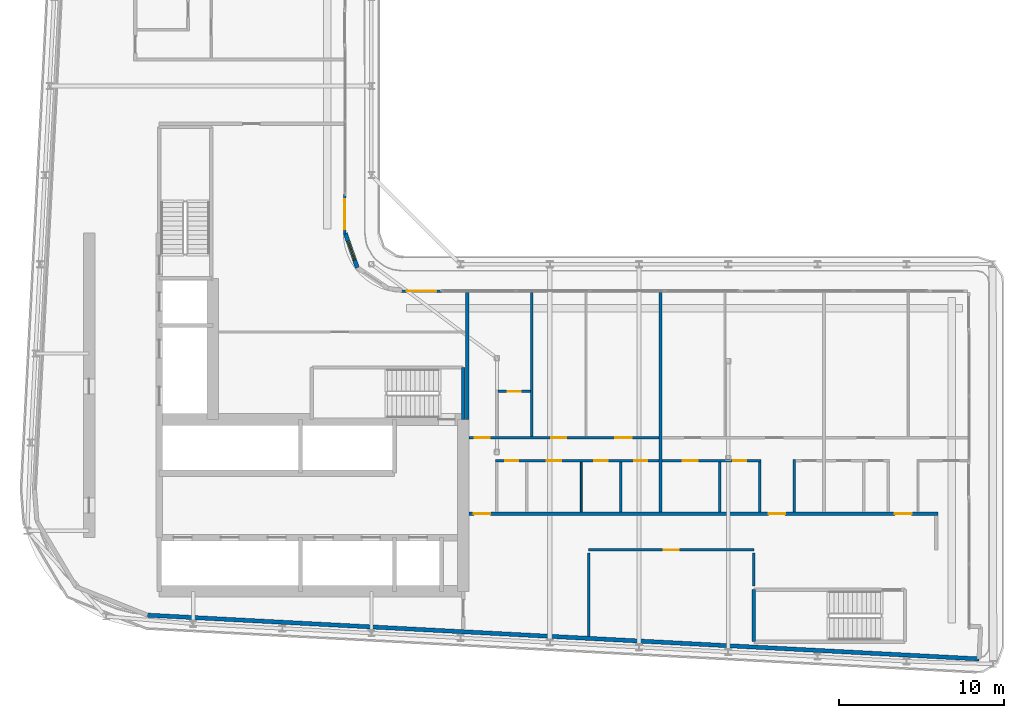
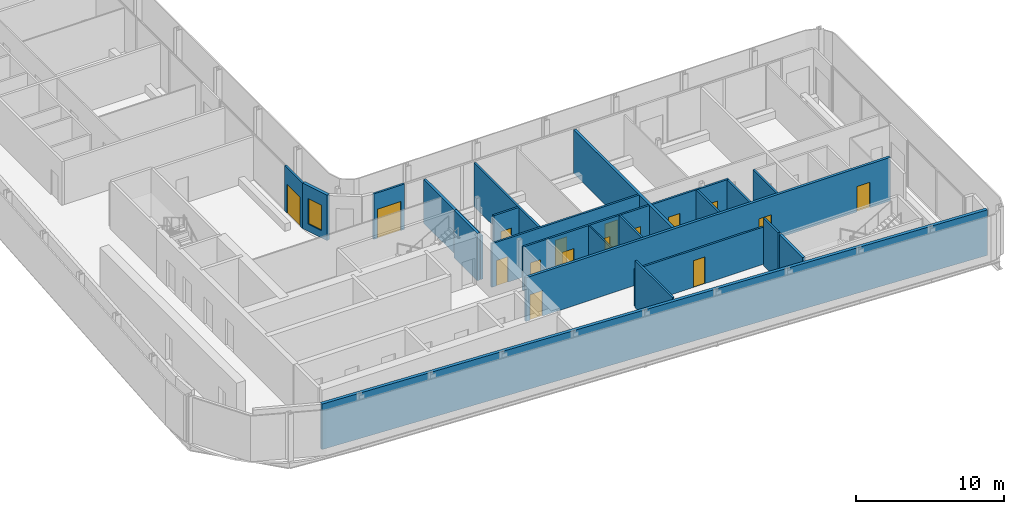
# One storey, part 11 of 21: 22 walls, 16 doors, 1 window, 17 openings.
"""IFC4 building model written with IfcOpenShell, lengths in metres."""

from ifc_helpers import new_model, si_unit, direction, frame, frame_2d, origin, place, context, subcontext, project, spatial, rectangle, extrude, source, transform, mapped, material, layer, layer_set, type_object, element, fill, save


model = new_model("IFC4")

# Units and contexts
model_context = context("Model", 3, precision=1e-05, world=origin(), true_north=direction((0.0, 1.0)))
body_context = subcontext(model_context, "Body", "Model", "MODEL_VIEW")
ifc_project = project(units=[si_unit("LENGTHUNIT", "METRE"), si_unit("AREAUNIT", "SQUARE_METRE"), si_unit("VOLUMEUNIT", "CUBIC_METRE"), si_unit("PLANEANGLEUNIT", "RADIAN"), si_unit("MASSUNIT", "GRAM", prefix="KILO")], contexts=[model_context])

# Site, building, storey
site_placement = place(None, origin())
site = spatial("IfcSite", under=ifc_project, at=site_placement, CompositionType="ELEMENT")
building_placement = place(site_placement, origin())
building = spatial("IfcBuilding", under=site, at=building_placement, Name="Kheshtan School and Residences Tower", CompositionType="ELEMENT")
storey_placement = place(building_placement, frame((0.0, 0.0, 231.800048828125)))
storey = spatial("IfcBuildingStorey", under=building, at=storey_placement, Name="L54", CompositionType="ELEMENT", Elevation=231.800048828125)

# Wall, openings, doors
ifc_material_1 = material(Name="Gypsum board on steel studs with fire boards", Category="steel")
ifc_layer_1 = layer(ifc_material_1, 0.199951171875)
ifc_layer_set_1 = layer_set([ifc_layer_1], Name="Corridor wall 200")
wall_type_1 = type_object("IfcWallType", Name="Corridor wall 200", PredefinedType="PARTITIONING", material=ifc_layer_set_1)
wall_1_placement = place(storey_placement, frame((53.4990234375, 30.5, 0.0), z_axis=(0.0, 0.0, 1.0), x_axis=(1.0, 0.0, 0.0)))
wall_1 = element("IfcWall", 1, at=wall_1_placement, inside=storey, type_object=wall_type_1, Name="Partition L54-024", PredefinedType="PARTITIONING", context=body_context, shape_type="SweptSolid", body=[
    extrude(rectangle(XDim=28.40087890625, YDim=0.199951171875, at=frame_2d((14.200439453125, 0.0))), origin(), (0.0, 0.0, 1.0), 3.599853515625),
])
opening_1_placement = place(wall_1_placement, frame((0.301025390625, 0.0, 0.0)))
opening_1 = element("IfcOpeningElement", 2, at=opening_1_placement, cuts=wall_1, Name="Opening D54-005", PredefinedType="OPENING", context=body_context, shape_type="SweptSolid", body=[
    extrude(rectangle(XDim=1.0, YDim=2.10009765625, at=frame_2d((0.5, 1.050048828125))), frame((0.0, 0.10986328125, 0.0), z_axis=(0.0, -1.0, 0.0), x_axis=(1.0, 0.0, 0.0)), (0.0, 0.0, 1.0), 0.219970703125),
])
opening_2_placement = place(wall_1_placement, frame((18.15087890625, 0.0, 0.0)))
opening_2 = element("IfcOpeningElement", 3, at=opening_2_placement, cuts=wall_1, Name="Opening D54-012", PredefinedType="OPENING", context=body_context, shape_type="SweptSolid", body=[
    extrude(rectangle(XDim=1.0, YDim=2.10009765625, at=frame_2d((0.5, 1.050048828125))), frame((0.0, 0.10986328125, 0.0), z_axis=(0.0, -1.0, 0.0), x_axis=(1.0, 0.0, 0.0)), (0.0, 0.0, 1.0), 0.219970703125),
])
opening_3_placement = place(wall_1_placement, frame((25.801025390625, 0.0, 0.0)))
opening_3 = element("IfcOpeningElement", 4, at=opening_3_placement, cuts=wall_1, Name="Opening D54-018", PredefinedType="OPENING", context=body_context, shape_type="SweptSolid", body=[
    extrude(rectangle(XDim=1.0, YDim=2.10009765625, at=frame_2d((0.5, 1.050048828125))), frame((0.0, 0.10986328125, 0.0), z_axis=(0.0, -1.0, 0.0), x_axis=(1.0, 0.0, 0.0)), (0.0, 0.0, 1.0), 0.219970703125),
])
ifc_material_2 = material(Name="Steel-framed fire-resisting door leaf", Category="steel")
door_type_1 = type_object("IfcDoorType", Name="Fire door FD30S 1000 x 2100", OperationType="SINGLE_SWING_LEFT", PredefinedType="DOOR", material=ifc_material_2)
shared_shape_1 = source(origin(), body_context, "Body", "SweptSolid", [
    extrude(rectangle(XDim=1.0, YDim=2.10009765625, at=frame_2d((0.5, 1.050048828125))), frame((0.0, 0.02490234375, 0.0), z_axis=(0.0, -1.0, 0.0), x_axis=(1.0, 0.0, 0.0)), (0.0, 0.0, 1.0), 0.050048828125),
])
door_1_placement = place(opening_1_placement, origin())
door_1 = element("IfcDoor", 5, at=door_1_placement, inside=storey, type_object=door_type_1, Name="Door D54-005", OperationType="SINGLE_SWING_LEFT", OverallHeight=2.10009765625, OverallWidth=1.0, PredefinedType="DOOR", context=body_context, shape_type="MappedRepresentation", body=[
    mapped(shared_shape_1, transform((0.0, 0.0, 0.0), x_axis=(1.0, 0.0, 0.0), y_axis=(0.0, 1.0, 0.0), z_axis=(0.0, 0.0, 1.0), scale=1.0)),
])
fill(opening_1, door_1)
door_2_placement = place(opening_2_placement, origin())
door_2 = element("IfcDoor", 6, at=door_2_placement, inside=storey, type_object=door_type_1, Name="Door D54-012", OperationType="SINGLE_SWING_RIGHT", OverallHeight=2.10009765625, OverallWidth=1.0, PredefinedType="DOOR", context=body_context, shape_type="MappedRepresentation", body=[
    mapped(shared_shape_1, transform((0.0, 0.0, 0.0), x_axis=(1.0, 0.0, 0.0), y_axis=(0.0, 1.0, 0.0), z_axis=(0.0, 0.0, 1.0), scale=1.0)),
])
fill(opening_2, door_2)
door_3_placement = place(opening_3_placement, origin())
door_3 = element("IfcDoor", 7, at=door_3_placement, inside=storey, type_object=door_type_1, Name="Door D54-018", OperationType="SINGLE_SWING_RIGHT", OverallHeight=2.10009765625, OverallWidth=1.0, PredefinedType="DOOR", context=body_context, shape_type="MappedRepresentation", body=[
    mapped(shared_shape_1, transform((0.0, 0.0, 0.0), x_axis=(1.0, 0.0, 0.0), y_axis=(0.0, 1.0, 0.0), z_axis=(0.0, 0.0, 1.0), scale=1.0)),
])
fill(opening_3, door_3)

# Wall, opening, window
ifc_material_3 = material(Name="Concrete C40/50 with ceramic cladding and mineral wool insulation", Category="concrete")
ifc_layer_2 = layer(ifc_material_3, 0.25)
ifc_layer_set_2 = layer_set([ifc_layer_2], Name="External wall 250 ceramic clad")
wall_type_2 = type_object("IfcWallType", Name="External wall 250 ceramic clad", PredefinedType="SOLIDWALL", material=ifc_layer_set_2)
wall_2_placement = place(storey_placement, frame((46.01806640625, 47.470947265625, 0.0), z_axis=(0.0, 0.0, 1.0), x_axis=(0.328791208903, -0.944402637093, 0.0)))
wall_2 = element("IfcWall", 8, at=wall_2_placement, inside=storey, type_object=wall_type_2, Name="External wall L54 5", PredefinedType="SOLIDWALL", context=body_context, shape_type="SweptSolid", body=[
    extrude(rectangle(XDim=2.20458984375, YDim=0.25, at=frame_2d((1.102294921875, 0.0))), origin(), (0.0, 0.0, 1.0), 3.75),
])
opening_4_placement = place(wall_2_placement, frame((0.5029296875, 0.0, 0.60009765625)))
opening_4 = element("IfcOpeningElement", 9, at=opening_4_placement, cuts=wall_2, Name="Opening WN-E", PredefinedType="OPENING", context=body_context, shape_type="SweptSolid", body=[
    extrude(rectangle(XDim=1.199951171875, YDim=2.10009765625, at=frame_2d((0.60009765625, 1.050048828125))), frame((0.0, 0.135009765625, 0.0), z_axis=(0.0, -1.0, 0.0), x_axis=(1.0, 0.0, 0.0)), (0.0, 0.0, 1.0), 0.27001953125),
])
ifc_material_4 = material(Name="Clear low-e glass in thermally broken aluminium frame", Category="aluminium")
window_type = type_object("IfcWindowType", Name="Window WN-E", PartitioningType="SINGLE_PANEL", PredefinedType="WINDOW", material=ifc_material_4)
shared_shape_2 = source(origin(), body_context, "Body", "SweptSolid", [
    extrude(rectangle(XDim=1.199951171875, YDim=2.10009765625, at=frame_2d((0.60009765625, 1.050048828125))), frame((0.0, 0.030029296875, 0.0), z_axis=(0.0, -1.0, 0.0), x_axis=(1.0, 0.0, 0.0)), (0.0, 0.0, 1.0), 0.06005859375),
])
window_placement = place(opening_4_placement, origin())
window = element("IfcWindow", 10, at=window_placement, inside=storey, type_object=window_type, Name="Window L54 5", OverallHeight=2.10009765625, OverallWidth=1.199951171875, PartitioningType="SINGLE_PANEL", PredefinedType="WINDOW", context=body_context, shape_type="MappedRepresentation", body=[
    mapped(shared_shape_2, transform((0.0, 0.0, 0.0), x_axis=(1.0, 0.0, 0.0), y_axis=(0.0, 1.0, 0.0), z_axis=(0.0, 0.0, 1.0), scale=1.0)),
])
fill(opening_4, window)

# Wall
wall_3_placement = place(storey_placement, frame((84.385986328125, 21.702880859375, 0.0), z_axis=(0.0, 0.0, 1.0), x_axis=(-0.998617508267, 0.05256493302, 0.0)))
element("IfcWall", 11, at=wall_3_placement, inside=storey, type_object=wall_type_2, Name="External wall L54 12", PredefinedType="SOLIDWALL", context=body_context, shape_type="SweptSolid", body=[
    extrude(rectangle(XDim=50.41650390625, YDim=0.25, at=frame_2d((25.208251953125, 0.0))), origin(), (0.0, 0.0, 1.0), 3.75),
])

# Wall, opening, door
ifc_material_5 = material(Name="Aluminium frame wall with insulated infill", Category="aluminium")
ifc_layer_3 = layer(ifc_material_5, 0.14990234375)
ifc_layer_set_3 = layer_set([ifc_layer_3], Name="Glazing frame wall 150")
wall_type_3 = type_object("IfcWallType", Name="Glazing frame wall 150", PredefinedType="SOLIDWALL", material=ifc_layer_set_3)
wall_4_placement = place(storey_placement, frame((45.97509765625, 49.830078125, 0.0), z_axis=(0.0, 0.0, 1.0), x_axis=(0.0, -1.0, 0.0)))
wall_4 = element("IfcWall", 12, at=wall_4_placement, inside=storey, type_object=wall_type_3, Name="Balcony door wall L54 4.4", PredefinedType="SOLIDWALL", context=body_context, shape_type="SweptSolid", body=[
    extrude(rectangle(XDim=2.400146484375, YDim=0.14990234375, at=frame_2d((1.2001953125, 0.0))), origin(), (0.0, 0.0, 1.0), 3.75),
])
opening_5_placement = place(wall_4_placement, frame((0.300048828125, 0.0, 0.0)))
opening_5 = element("IfcOpeningElement", 13, at=opening_5_placement, cuts=wall_4, Name="Opening BD", PredefinedType="OPENING", context=body_context, shape_type="SweptSolid", body=[
    extrude(rectangle(XDim=1.800048828125, YDim=2.39990234375, at=frame_2d((0.89990234375, 1.199951171875))), frame((0.0, 0.0849609375, 0.0), z_axis=(0.0, -1.0, 0.0), x_axis=(1.0, 0.0, 0.0)), (0.0, 0.0, 1.0), 0.169921875),
])
door_type_2 = type_object("IfcDoorType", Name="Balcony sliding door", OperationType="SLIDING_TO_LEFT", PredefinedType="DOOR", material=ifc_material_4)
shared_shape_3 = source(origin(), body_context, "Body", "SweptSolid", [
    extrude(rectangle(XDim=1.800048828125, YDim=2.39990234375, at=frame_2d((0.89990234375, 1.199951171875))), frame((0.0, 0.02490234375, 0.0), z_axis=(0.0, -1.0, 0.0), x_axis=(1.0, 0.0, 0.0)), (0.0, 0.0, 1.0), 0.050048828125),
])
door_4_placement = place(opening_5_placement, origin())
door_4 = element("IfcDoor", 14, at=door_4_placement, inside=storey, type_object=door_type_2, Name="Balcony door L54 4.4", OperationType="SLIDING_TO_LEFT", OverallHeight=2.39990234375, OverallWidth=1.800048828125, PredefinedType="DOOR", context=body_context, shape_type="MappedRepresentation", body=[
    mapped(shared_shape_3, transform((0.0, 0.0, 0.0), x_axis=(1.0, 0.0, 0.0), y_axis=(0.0, 1.0, 0.0), z_axis=(0.0, 0.0, 1.0), scale=1.0)),
])
fill(opening_5, door_4)

wall_5_placement = place(storey_placement, frame((49.429931640625, 43.97509765625, 0.0), z_axis=(0.0, 0.0, 1.0), x_axis=(1.0, 0.0, 0.0)))
wall_5 = element("IfcWall", 15, at=wall_5_placement, inside=storey, type_object=wall_type_3, Name="Balcony door wall L54 8.1", PredefinedType="SOLIDWALL", context=body_context, shape_type="SweptSolid", body=[
    extrude(rectangle(XDim=2.400146484375, YDim=0.14990234375, at=frame_2d((1.2001953125, 0.0))), origin(), (0.0, 0.0, 1.0), 3.75),
])
opening_6_placement = place(wall_5_placement, frame((0.300048828125, 0.0, 0.0)))
opening_6 = element("IfcOpeningElement", 16, at=opening_6_placement, cuts=wall_5, Name="Opening BD", PredefinedType="OPENING", context=body_context, shape_type="SweptSolid", body=[
    extrude(rectangle(XDim=1.800048828125, YDim=2.39990234375, at=frame_2d((0.89990234375, 1.199951171875))), frame((0.0, 0.0849609375, 0.0), z_axis=(0.0, -1.0, 0.0), x_axis=(1.0, 0.0, 0.0)), (0.0, 0.0, 1.0), 0.169921875),
])
door_5_placement = place(opening_6_placement, origin())
door_5 = element("IfcDoor", 17, at=door_5_placement, inside=storey, type_object=door_type_2, Name="Balcony door L54 8.1", OperationType="SLIDING_TO_LEFT", OverallHeight=2.39990234375, OverallWidth=1.800048828125, PredefinedType="DOOR", context=body_context, shape_type="MappedRepresentation", body=[
    mapped(shared_shape_3, transform((0.0, 0.0, 0.0), x_axis=(1.0, 0.0, 0.0), y_axis=(0.0, 1.0, 0.0), z_axis=(0.0, 0.0, 1.0), scale=1.0)),
])
fill(opening_6, door_5)

# Wall
ifc_material_6 = material(Name="Gypsum board on steel studs", Category="steel")
ifc_layer_4 = layer(ifc_material_6, 0.10009765625)
ifc_layer_set_4 = layer_set([ifc_layer_4], Name="Gypsum partition 100")
wall_type_4 = type_object("IfcWallType", Name="Gypsum partition 100", PredefinedType="PARTITIONING", material=ifc_layer_set_4)
wall_6_placement = place(storey_placement, frame((60.300048828125, 30.60009765625, 0.0), z_axis=(0.0, 0.0, 1.0), x_axis=(0.0, 1.0, 0.0)))
element("IfcWall", 18, at=wall_6_placement, inside=storey, type_object=wall_type_4, Name="Partition L54-032", PredefinedType="PARTITIONING", context=body_context, shape_type="SweptSolid", body=[
    extrude(rectangle(XDim=3.02490234375, YDim=0.10009765625, at=frame_2d((1.512451171875, 0.0))), origin(), (0.0, 0.0, 1.0), 3.599853515625),
])

# Wall, opening, door
ifc_material_7 = material(Name="Fire-board shaft wall system")
ifc_layer_5 = layer(ifc_material_7, 0.14990234375)
ifc_layer_set_5 = layer_set([ifc_layer_5], Name="Service room wall 150")
wall_type_5 = type_object("IfcWallType", Name="Service room wall 150", PredefinedType="PARTITIONING", material=ifc_layer_set_5)
wall_7_placement = place(storey_placement, frame((60.75, 28.300048828125, 0.0), z_axis=(0.0, 0.0, 1.0), x_axis=(1.0, 0.0, 0.0)))
wall_7 = element("IfcWall", 19, at=wall_7_placement, inside=storey, type_object=wall_type_5, Name="Service room wall", PredefinedType="PARTITIONING", context=body_context, shape_type="SweptSolid", body=[
    extrude(rectangle(XDim=10.0, YDim=0.14990234375, at=frame_2d((5.0, 0.0))), origin(), (0.0, 0.0, 1.0), 3.072021484375),
])
opening_7_placement = place(wall_7_placement, frame((4.550048828125, 0.0, 0.0)))
opening_7 = element("IfcOpeningElement", 20, at=opening_7_placement, cuts=wall_7, Name="Opening SR90", PredefinedType="OPENING", context=body_context, shape_type="SweptSolid", body=[
    extrude(rectangle(XDim=0.89990234375, YDim=2.199951171875, at=frame_2d((0.449951171875, 1.10009765625))), frame((0.0, 0.0849609375, 0.0), z_axis=(0.0, -1.0, 0.0), x_axis=(1.0, 0.0, 0.0)), (0.0, 0.0, 1.0), 0.169921875),
])
ifc_material_8 = material(Name="Steel door leaf, galvanised", Category="steel")
door_type_3 = type_object("IfcDoorType", Name="Service room door 900 steel 90 min", OperationType="SINGLE_SWING_LEFT", PredefinedType="DOOR", material=ifc_material_8)
shared_shape_4 = source(origin(), body_context, "Body", "SweptSolid", [
    extrude(rectangle(XDim=0.89990234375, YDim=2.199951171875, at=frame_2d((0.449951171875, 1.10009765625))), frame((0.0, 0.02490234375, 0.0), z_axis=(0.0, -1.0, 0.0), x_axis=(1.0, 0.0, 0.0)), (0.0, 0.0, 1.0), 0.050048828125),
])
door_6_placement = place(opening_7_placement, origin())
door_6 = element("IfcDoor", 21, at=door_6_placement, inside=storey, type_object=door_type_3, Name="Service room door", OperationType="SINGLE_SWING_LEFT", OverallHeight=2.199951171875, OverallWidth=0.89990234375, PredefinedType="DOOR", context=body_context, shape_type="MappedRepresentation", body=[
    mapped(shared_shape_4, transform((0.0, 0.0, 0.0), x_axis=(1.0, 0.0, 0.0), y_axis=(0.0, 1.0, 0.0), z_axis=(0.0, 0.0, 1.0), scale=1.0)),
])
fill(opening_7, door_6)

# Walls
wall_8_placement = place(storey_placement, frame((60.75, 23.074951171875, 0.0), z_axis=(0.0, 0.0, 1.0), x_axis=(0.0, 1.0, 0.0)))
element("IfcWall", 22, at=wall_8_placement, inside=storey, type_object=wall_type_5, Name="Service room wall", PredefinedType="PARTITIONING", context=body_context, shape_type="SweptSolid", body=[
    extrude(rectangle(XDim=5.030029296875, YDim=0.14990234375, at=frame_2d((2.51513671875, 0.0))), origin(), (0.0, 0.0, 1.0), 3.89990234375),
])
wall_9_placement = place(storey_placement, frame((70.75, 26.1201171875, 0.0), z_axis=(0.0, 0.0, 1.0), x_axis=(0.0, 1.0, 0.0)))
element("IfcWall", 23, at=wall_9_placement, inside=storey, type_object=wall_type_5, Name="Service room wall", PredefinedType="PARTITIONING", context=body_context, shape_type="SweptSolid", body=[
    extrude(rectangle(XDim=1.98486328125, YDim=0.14990234375, at=frame_2d((0.992431640625, 0.0))), origin(), (0.0, 0.0, 1.0), 3.89990234375),
])
ifc_material_9 = material(Name="Concrete C40/50", Category="concrete")
ifc_layer_6 = layer(ifc_material_9, 0.199951171875)
ifc_layer_set_6 = layer_set([ifc_layer_6], Name="Stair enclosure wall 200 Concrete C40/50")
wall_type_6 = type_object("IfcWallType", Name="Stair enclosure wall 200 Concrete C40/50", PredefinedType="SHEAR", material=ifc_layer_set_6)
wall_10_placement = place(storey_placement, frame((53.14990234375, 36.199951171875, 0.0), z_axis=(0.0, 0.0, 1.0), x_axis=(0.0, 1.0, 0.0)))
element("IfcWall", 24, at=wall_10_placement, inside=storey, type_object=wall_type_6, Name="Stair enclosure wall ST1", PredefinedType="SHEAR", context=body_context, shape_type="SweptSolid", body=[
    extrude(rectangle(XDim=3.150146484375, YDim=0.199951171875, at=frame_2d((1.5751953125, 0.0))), origin(), (0.0, 0.0, 1.0), 3.89990234375),
])
wall_11_placement = place(storey_placement, frame((70.75, 22.75, 0.0), z_axis=(0.0, 0.0, 1.0), x_axis=(0.0, 1.0, 0.0)))
element("IfcWall", 25, at=wall_11_placement, inside=storey, type_object=wall_type_6, Name="Stair enclosure wall ST5", PredefinedType="SHEAR", context=body_context, shape_type="SweptSolid", body=[
    extrude(rectangle(XDim=3.14990234375, YDim=0.199951171875, at=frame_2d((1.574951171875, 0.0))), origin(), (0.0, 0.0, 1.0), 3.89990234375),
])
ifc_material_10 = material(Name="Twin gypsum board on steel studs with mineral wool", Category="steel")
ifc_layer_7 = layer(ifc_material_10, 0.199951171875)
ifc_layer_set_7 = layer_set([ifc_layer_7], Name="Unit demising wall 200")
wall_type_7 = type_object("IfcWallType", Name="Unit demising wall 200", PredefinedType="PARTITIONING", material=ifc_layer_set_7)
wall_12_placement = place(storey_placement, frame((53.39990234375, 36.198974609375, 0.0), z_axis=(0.0, 0.0, 1.0), x_axis=(0.0, 1.0, 0.0)))
element("IfcWall", 26, at=wall_12_placement, inside=storey, type_object=wall_type_7, Name="Partition L54-023", PredefinedType="PARTITIONING", context=body_context, shape_type="SweptSolid", body=[
    extrude(rectangle(XDim=7.700927734375, YDim=0.199951171875, at=frame_2d((3.8505859375, 0.0))), origin(), (0.0, 0.0, 1.0), 3.599853515625),
])
wall_13_placement = place(storey_placement, frame((65.10009765625, 30.60009765625, 0.0), z_axis=(0.0, 0.0, 1.0), x_axis=(0.0, 1.0, 0.0)))
element("IfcWall", 27, at=wall_13_placement, inside=storey, type_object=wall_type_7, Name="Partition L54-035", PredefinedType="PARTITIONING", context=body_context, shape_type="SweptSolid", body=[
    extrude(rectangle(XDim=13.2998046875, YDim=0.199951171875, at=frame_2d((6.64990234375, 0.0))), origin(), (0.0, 0.0, 1.0), 3.599853515625),
])

# Wall, openings, doors
ifc_material_11 = material(Name="Moisture-resistant gypsum board on steel studs", Category="steel")
ifc_layer_8 = layer(ifc_material_11, 0.14990234375)
ifc_layer_set_8 = layer_set([ifc_layer_8], Name="Wet-room partition 150")
wall_type_8 = type_object("IfcWallType", Name="Wet-room partition 150", PredefinedType="PARTITIONING", material=ifc_layer_set_8)
wall_14_placement = place(storey_placement, frame((53.4990234375, 35.10009765625, 0.0), z_axis=(0.0, 0.0, 1.0), x_axis=(1.0, 0.0, 0.0)))
wall_14 = element("IfcWall", 28, at=wall_14_placement, inside=storey, type_object=wall_type_8, Name="Partition L54-025", PredefinedType="PARTITIONING", context=body_context, shape_type="SweptSolid", body=[
    extrude(rectangle(XDim=11.5009765625, YDim=0.14990234375, at=frame_2d((5.75048828125, 0.0))), origin(), (0.0, 0.0, 1.0), 3.599853515625),
])
opening_8_placement = place(wall_14_placement, frame((5.0009765625, 0.0, 0.0)))
opening_8 = element("IfcOpeningElement", 29, at=opening_8_placement, cuts=wall_14, Name="Opening D54-002", PredefinedType="OPENING", context=body_context, shape_type="SweptSolid", body=[
    extrude(rectangle(XDim=0.89990234375, YDim=2.10009765625, at=frame_2d((0.449951171875, 1.050048828125))), frame((0.0, 0.0849609375, 0.0), z_axis=(0.0, -1.0, 0.0), x_axis=(1.0, 0.0, 0.0)), (0.0, 0.0, 1.0), 0.169921875),
])
opening_9_placement = place(wall_14_placement, frame((8.85107421875, 0.0, 0.0)))
opening_9 = element("IfcOpeningElement", 30, at=opening_9_placement, cuts=wall_14, Name="Opening D54-007", PredefinedType="OPENING", context=body_context, shape_type="SweptSolid", body=[
    extrude(rectangle(XDim=1.0, YDim=2.10009765625, at=frame_2d((0.5, 1.050048828125))), frame((0.0, 0.0849609375, 0.0), z_axis=(0.0, -1.0, 0.0), x_axis=(1.0, 0.0, 0.0)), (0.0, 0.0, 1.0), 0.169921875),
])
opening_10_placement = place(wall_14_placement, frame((0.35107421875, 0.0, 0.0)))
opening_10 = element("IfcOpeningElement", 31, at=opening_10_placement, cuts=wall_14, Name="Opening D54-008", PredefinedType="OPENING", context=body_context, shape_type="SweptSolid", body=[
    extrude(rectangle(XDim=0.89990234375, YDim=2.10009765625, at=frame_2d((0.449951171875, 1.050048828125))), frame((0.0, 0.0849609375, 0.0), z_axis=(0.0, -1.0, 0.0), x_axis=(1.0, 0.0, 0.0)), (0.0, 0.0, 1.0), 0.169921875),
])
ifc_material_12 = material(Name="Veneered timber door leaf", Category="wood")
door_type_4 = type_object("IfcDoorType", Name="Door 1000 x 2100", OperationType="SINGLE_SWING_LEFT", PredefinedType="DOOR", material=ifc_material_12)
shared_shape_5 = source(origin(), body_context, "Body", "SweptSolid", [
    extrude(rectangle(XDim=1.0, YDim=2.10009765625, at=frame_2d((0.5, 1.050048828125))), frame((0.0, 0.02490234375, 0.0), z_axis=(0.0, -1.0, 0.0), x_axis=(1.0, 0.0, 0.0)), (0.0, 0.0, 1.0), 0.050048828125),
])
door_7_placement = place(opening_9_placement, origin())
door_7 = element("IfcDoor", 32, at=door_7_placement, inside=storey, type_object=door_type_4, Name="Door D54-007", OperationType="SINGLE_SWING_RIGHT", OverallHeight=2.10009765625, OverallWidth=1.0, PredefinedType="DOOR", context=body_context, shape_type="MappedRepresentation", body=[
    mapped(shared_shape_5, transform((0.0, 0.0, 0.0), x_axis=(1.0, 0.0, 0.0), y_axis=(0.0, 1.0, 0.0), z_axis=(0.0, 0.0, 1.0), scale=1.0)),
])
fill(opening_9, door_7)
door_type_5 = type_object("IfcDoorType", Name="Door 900 x 2100", OperationType="SINGLE_SWING_LEFT", PredefinedType="DOOR", material=ifc_material_12)
shared_shape_6 = source(origin(), body_context, "Body", "SweptSolid", [
    extrude(rectangle(XDim=0.89990234375, YDim=2.10009765625, at=frame_2d((0.449951171875, 1.050048828125))), frame((0.0, 0.02490234375, 0.0), z_axis=(0.0, -1.0, 0.0), x_axis=(1.0, 0.0, 0.0)), (0.0, 0.0, 1.0), 0.050048828125),
])
door_8_placement = place(opening_8_placement, origin())
door_8 = element("IfcDoor", 33, at=door_8_placement, inside=storey, type_object=door_type_5, Name="Door D54-002", OperationType="SINGLE_SWING_LEFT", OverallHeight=2.10009765625, OverallWidth=0.89990234375, PredefinedType="DOOR", context=body_context, shape_type="MappedRepresentation", body=[
    mapped(shared_shape_6, transform((0.0, 0.0, 0.0), x_axis=(1.0, 0.0, 0.0), y_axis=(0.0, 1.0, 0.0), z_axis=(0.0, 0.0, 1.0), scale=1.0)),
])
fill(opening_8, door_8)
door_9_placement = place(opening_10_placement, origin())
door_9 = element("IfcDoor", 34, at=door_9_placement, inside=storey, type_object=door_type_5, Name="Door D54-008", OperationType="SINGLE_SWING_RIGHT", OverallHeight=2.10009765625, OverallWidth=0.89990234375, PredefinedType="DOOR", context=body_context, shape_type="MappedRepresentation", body=[
    mapped(shared_shape_6, transform((0.0, 0.0, 0.0), x_axis=(1.0, 0.0, 0.0), y_axis=(0.0, 1.0, 0.0), z_axis=(0.0, 0.0, 1.0), scale=1.0)),
])
fill(opening_10, door_9)

wall_15_placement = place(storey_placement, frame((55.125, 33.699951171875, 0.0), z_axis=(0.0, 0.0, 1.0), x_axis=(1.0, 0.0, 0.0)))
wall_15 = element("IfcWall", 35, at=wall_15_placement, inside=storey, type_object=wall_type_8, Name="Partition L54-026", PredefinedType="PARTITIONING", context=body_context, shape_type="SweptSolid", body=[
    extrude(rectangle(XDim=9.875, YDim=0.14990234375, at=frame_2d((4.9375, 0.0))), origin(), (0.0, 0.0, 1.0), 3.599853515625),
])
opening_11_placement = place(wall_15_placement, frame((8.375, 0.0, 0.0)))
opening_11 = element("IfcOpeningElement", 36, at=opening_11_placement, cuts=wall_15, Name="Opening D54-001", PredefinedType="OPENING", context=body_context, shape_type="SweptSolid", body=[
    extrude(rectangle(XDim=0.800048828125, YDim=2.10009765625, at=frame_2d((0.39990234375, 1.050048828125))), frame((0.0, 0.0849609375, 0.0), z_axis=(0.0, -1.0, 0.0), x_axis=(1.0, 0.0, 0.0)), (0.0, 0.0, 1.0), 0.169921875),
])
opening_12_placement = place(wall_15_placement, frame((5.97509765625, 0.0, 0.0)))
opening_12 = element("IfcOpeningElement", 37, at=opening_12_placement, cuts=wall_15, Name="Opening D54-003", PredefinedType="OPENING", context=body_context, shape_type="SweptSolid", body=[
    extrude(rectangle(XDim=0.800048828125, YDim=2.10009765625, at=frame_2d((0.39990234375, 1.050048828125))), frame((0.0, 0.0849609375, 0.0), z_axis=(0.0, -1.0, 0.0), x_axis=(1.0, 0.0, 0.0)), (0.0, 0.0, 1.0), 0.169921875),
])
opening_13_placement = place(wall_15_placement, frame((3.074951171875, 0.0, 0.0)))
opening_13 = element("IfcOpeningElement", 38, at=opening_13_placement, cuts=wall_15, Name="Opening D54-006", PredefinedType="OPENING", context=body_context, shape_type="SweptSolid", body=[
    extrude(rectangle(XDim=0.89990234375, YDim=2.10009765625, at=frame_2d((0.449951171875, 1.050048828125))), frame((0.0, 0.0849609375, 0.0), z_axis=(0.0, -1.0, 0.0), x_axis=(1.0, 0.0, 0.0)), (0.0, 0.0, 1.0), 0.169921875),
])
opening_14_placement = place(wall_15_placement, frame((0.574951171875, 0.0, 0.0)))
opening_14 = element("IfcOpeningElement", 39, at=opening_14_placement, cuts=wall_15, Name="Opening D54-009", PredefinedType="OPENING", context=body_context, shape_type="SweptSolid", body=[
    extrude(rectangle(XDim=0.800048828125, YDim=2.10009765625, at=frame_2d((0.39990234375, 1.050048828125))), frame((0.0, 0.0849609375, 0.0), z_axis=(0.0, -1.0, 0.0), x_axis=(1.0, 0.0, 0.0)), (0.0, 0.0, 1.0), 0.169921875),
])
door_type_6 = type_object("IfcDoorType", Name="Door 800 x 2100", OperationType="SINGLE_SWING_LEFT", PredefinedType="DOOR", material=ifc_material_12)
shared_shape_7 = source(origin(), body_context, "Body", "SweptSolid", [
    extrude(rectangle(XDim=0.800048828125, YDim=2.10009765625, at=frame_2d((0.39990234375, 1.050048828125))), frame((0.0, 0.02490234375, 0.0), z_axis=(0.0, -1.0, 0.0), x_axis=(1.0, 0.0, 0.0)), (0.0, 0.0, 1.0), 0.050048828125),
])
door_10_placement = place(opening_11_placement, origin())
door_10 = element("IfcDoor", 40, at=door_10_placement, inside=storey, type_object=door_type_6, Name="Door D54-001", OperationType="SINGLE_SWING_LEFT", OverallHeight=2.10009765625, OverallWidth=0.800048828125, PredefinedType="DOOR", context=body_context, shape_type="MappedRepresentation", body=[
    mapped(shared_shape_7, transform((0.0, 0.0, 0.0), x_axis=(1.0, 0.0, 0.0), y_axis=(0.0, 1.0, 0.0), z_axis=(0.0, 0.0, 1.0), scale=1.0)),
])
fill(opening_11, door_10)
door_11_placement = place(opening_12_placement, origin())
door_11 = element("IfcDoor", 41, at=door_11_placement, inside=storey, type_object=door_type_6, Name="Door D54-003", OperationType="SINGLE_SWING_LEFT", OverallHeight=2.10009765625, OverallWidth=0.800048828125, PredefinedType="DOOR", context=body_context, shape_type="MappedRepresentation", body=[
    mapped(shared_shape_7, transform((0.0, 0.0, 0.0), x_axis=(1.0, 0.0, 0.0), y_axis=(0.0, 1.0, 0.0), z_axis=(0.0, 0.0, 1.0), scale=1.0)),
])
fill(opening_12, door_11)
door_12_placement = place(opening_14_placement, origin())
door_12 = element("IfcDoor", 42, at=door_12_placement, inside=storey, type_object=door_type_6, Name="Door D54-009", OperationType="SINGLE_SWING_LEFT", OverallHeight=2.10009765625, OverallWidth=0.800048828125, PredefinedType="DOOR", context=body_context, shape_type="MappedRepresentation", body=[
    mapped(shared_shape_7, transform((0.0, 0.0, 0.0), x_axis=(1.0, 0.0, 0.0), y_axis=(0.0, 1.0, 0.0), z_axis=(0.0, 0.0, 1.0), scale=1.0)),
])
fill(opening_14, door_12)
door_13_placement = place(opening_13_placement, origin())
door_13 = element("IfcDoor", 43, at=door_13_placement, inside=storey, type_object=door_type_5, Name="Door D54-006", OperationType="SINGLE_SWING_RIGHT", OverallHeight=2.10009765625, OverallWidth=0.89990234375, PredefinedType="DOOR", context=body_context, shape_type="MappedRepresentation", body=[
    mapped(shared_shape_6, transform((0.0, 0.0, 0.0), x_axis=(1.0, 0.0, 0.0), y_axis=(0.0, 1.0, 0.0), z_axis=(0.0, 0.0, 1.0), scale=1.0)),
])
fill(opening_13, door_13)

# Wall, opening, door
wall_16_placement = place(storey_placement, frame((55.27490234375, 37.89990234375, 0.0), z_axis=(0.0, 0.0, 1.0), x_axis=(1.0, 0.0, 0.0)))
wall_16 = element("IfcWall", 44, at=wall_16_placement, inside=storey, type_object=wall_type_8, Name="Partition L54-029", PredefinedType="PARTITIONING", context=body_context, shape_type="SweptSolid", body=[
    extrude(rectangle(XDim=1.9501953125, YDim=0.14990234375, at=frame_2d((0.97509765625, 0.0))), origin(), (0.0, 0.0, 1.0), 3.599853515625),
])
opening_15_placement = place(wall_16_placement, frame((0.574951171875, 0.0, 0.0)))
opening_15 = element("IfcOpeningElement", 45, at=opening_15_placement, cuts=wall_16, Name="Opening D54-004", PredefinedType="OPENING", context=body_context, shape_type="SweptSolid", body=[
    extrude(rectangle(XDim=0.800048828125, YDim=2.10009765625, at=frame_2d((0.39990234375, 1.050048828125))), frame((0.0, 0.0849609375, 0.0), z_axis=(0.0, -1.0, 0.0), x_axis=(1.0, 0.0, 0.0)), (0.0, 0.0, 1.0), 0.169921875),
])
door_14_placement = place(opening_15_placement, origin())
door_14 = element("IfcDoor", 46, at=door_14_placement, inside=storey, type_object=door_type_6, Name="Door D54-004", OperationType="SINGLE_SWING_LEFT", OverallHeight=2.10009765625, OverallWidth=0.800048828125, PredefinedType="DOOR", context=body_context, shape_type="MappedRepresentation", body=[
    mapped(shared_shape_7, transform((0.0, 0.0, 0.0), x_axis=(1.0, 0.0, 0.0), y_axis=(0.0, 1.0, 0.0), z_axis=(0.0, 0.0, 1.0), scale=1.0)),
])
fill(opening_15, door_14)

# Walls
wall_17_placement = place(storey_placement, frame((57.300048828125, 35.175048828125, 0.0), z_axis=(0.0, 0.0, 1.0), x_axis=(0.0, 1.0, 0.0)))
element("IfcWall", 47, at=wall_17_placement, inside=storey, type_object=wall_type_8, Name="Partition L54-031", PredefinedType="PARTITIONING", context=body_context, shape_type="SweptSolid", body=[
    extrude(rectangle(XDim=8.724853515625, YDim=0.14990234375, at=frame_2d((4.3623046875, 0.0))), origin(), (0.0, 0.0, 1.0), 3.599853515625),
])
wall_18_placement = place(storey_placement, frame((62.699951171875, 30.60009765625, 0.0), z_axis=(0.0, 0.0, 1.0), x_axis=(0.0, 1.0, 0.0)))
element("IfcWall", 48, at=wall_18_placement, inside=storey, type_object=wall_type_8, Name="Partition L54-034", PredefinedType="PARTITIONING", context=body_context, shape_type="SweptSolid", body=[
    extrude(rectangle(XDim=3.02490234375, YDim=0.14990234375, at=frame_2d((1.512451171875, 0.0))), origin(), (0.0, 0.0, 1.0), 3.599853515625),
])

# Wall, openings, doors
wall_19_placement = place(storey_placement, frame((65.199951171875, 33.699951171875, 0.0), z_axis=(0.0, 0.0, 1.0), x_axis=(1.0, 0.0, 0.0)))
wall_19 = element("IfcWall", 49, at=wall_19_placement, inside=storey, type_object=wall_type_8, Name="Partition L54-036", PredefinedType="PARTITIONING", context=body_context, shape_type="SweptSolid", body=[
    extrude(rectangle(XDim=5.97509765625, YDim=0.14990234375, at=frame_2d((2.987548828125, 0.0))), origin(), (0.0, 0.0, 1.0), 3.599853515625),
])
opening_16_placement = place(wall_19_placement, frame((4.300048828125, 0.0, 0.0)))
opening_16 = element("IfcOpeningElement", 50, at=opening_16_placement, cuts=wall_19, Name="Opening D54-010", PredefinedType="OPENING", context=body_context, shape_type="SweptSolid", body=[
    extrude(rectangle(XDim=0.800048828125, YDim=2.10009765625, at=frame_2d((0.39990234375, 1.050048828125))), frame((0.0, 0.0849609375, 0.0), z_axis=(0.0, -1.0, 0.0), x_axis=(1.0, 0.0, 0.0)), (0.0, 0.0, 1.0), 0.169921875),
])
opening_17_placement = place(wall_19_placement, frame((1.25, 0.0, 0.0)))
opening_17 = element("IfcOpeningElement", 51, at=opening_17_placement, cuts=wall_19, Name="Opening D54-013", PredefinedType="OPENING", context=body_context, shape_type="SweptSolid", body=[
    extrude(rectangle(XDim=0.89990234375, YDim=2.10009765625, at=frame_2d((0.449951171875, 1.050048828125))), frame((0.0, 0.0849609375, 0.0), z_axis=(0.0, -1.0, 0.0), x_axis=(1.0, 0.0, 0.0)), (0.0, 0.0, 1.0), 0.169921875),
])
door_15_placement = place(opening_16_placement, origin())
door_15 = element("IfcDoor", 52, at=door_15_placement, inside=storey, type_object=door_type_6, Name="Door D54-010", OperationType="SINGLE_SWING_RIGHT", OverallHeight=2.10009765625, OverallWidth=0.800048828125, PredefinedType="DOOR", context=body_context, shape_type="MappedRepresentation", body=[
    mapped(shared_shape_7, transform((0.0, 0.0, 0.0), x_axis=(1.0, 0.0, 0.0), y_axis=(0.0, 1.0, 0.0), z_axis=(0.0, 0.0, 1.0), scale=1.0)),
])
fill(opening_16, door_15)
door_16_placement = place(opening_17_placement, origin())
door_16 = element("IfcDoor", 53, at=door_16_placement, inside=storey, type_object=door_type_5, Name="Door D54-013", OperationType="SINGLE_SWING_LEFT", OverallHeight=2.10009765625, OverallWidth=0.89990234375, PredefinedType="DOOR", context=body_context, shape_type="MappedRepresentation", body=[
    mapped(shared_shape_6, transform((0.0, 0.0, 0.0), x_axis=(1.0, 0.0, 0.0), y_axis=(0.0, 1.0, 0.0), z_axis=(0.0, 0.0, 1.0), scale=1.0)),
])
fill(opening_17, door_16)

# Walls
for number, where, z_axis, x_axis, name in (
    (54, (68.699951171875, 30.60009765625, 0.0), (0.0, 0.0, 1.0), (0.0, 1.0, 0.0), "Partition L54-038"),
    (55, (71.10009765625, 30.60009765625, 0.0), (0.0, 0.0, 1.0), (0.0, 1.0, 0.0), "Partition L54-040"),
):
    element("IfcWall", number, at=place(storey_placement, frame(where, z_axis=z_axis, x_axis=x_axis)), inside=storey, type_object=wall_type_8, Name=name, PredefinedType="PARTITIONING", context=body_context, shape_type="SweptSolid", body=[
        extrude(rectangle(XDim=3.02490234375, YDim=0.14990234375, at=frame_2d((1.512451171875, 0.0))), origin(), (0.0, 0.0, 1.0), 3.599853515625),
    ])
wall_20_placement = place(storey_placement, frame((73.199951171875, 30.60009765625, 0.0), z_axis=(0.0, 0.0, 1.0), x_axis=(0.0, 1.0, 0.0)))
element("IfcWall", 56, at=wall_20_placement, inside=storey, type_object=wall_type_8, Name="Partition L54-041", PredefinedType="PARTITIONING", context=body_context, shape_type="SweptSolid", body=[
    extrude(rectangle(XDim=3.1748046875, YDim=0.14990234375, at=frame_2d((1.58740234375, 0.0))), origin(), (0.0, 0.0, 1.0), 3.599853515625),
])

save(model, "model.ifc")
